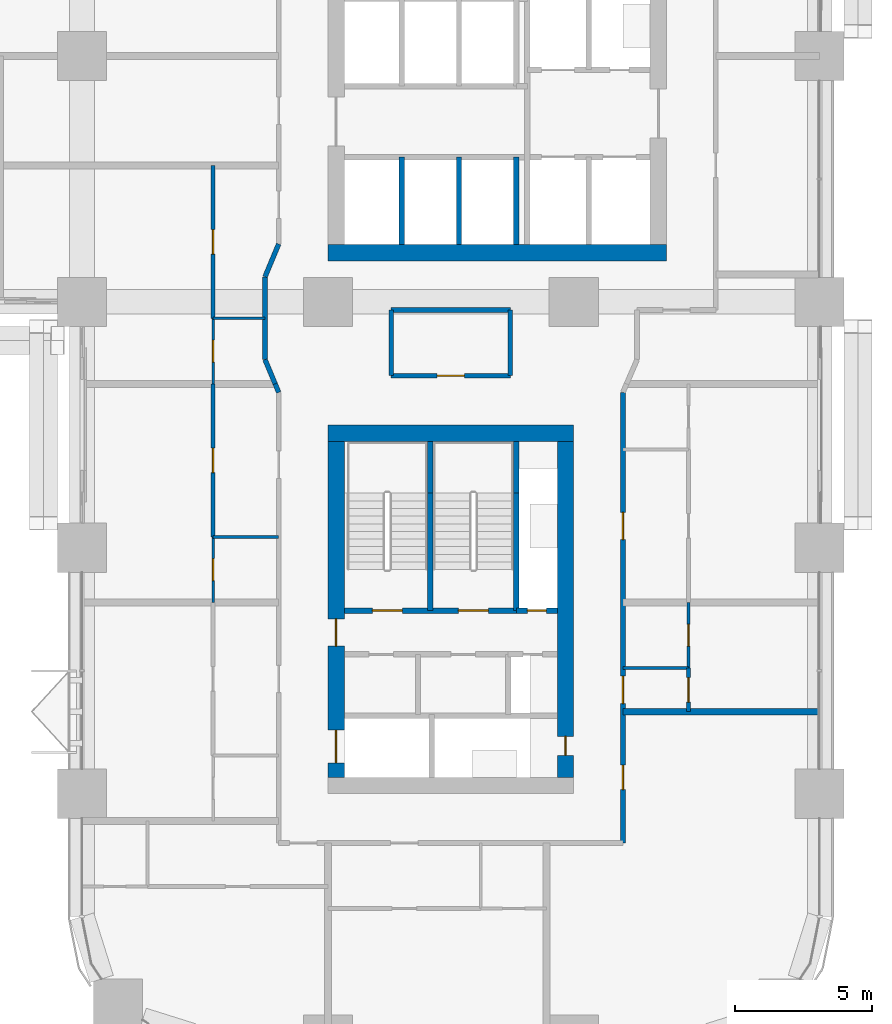
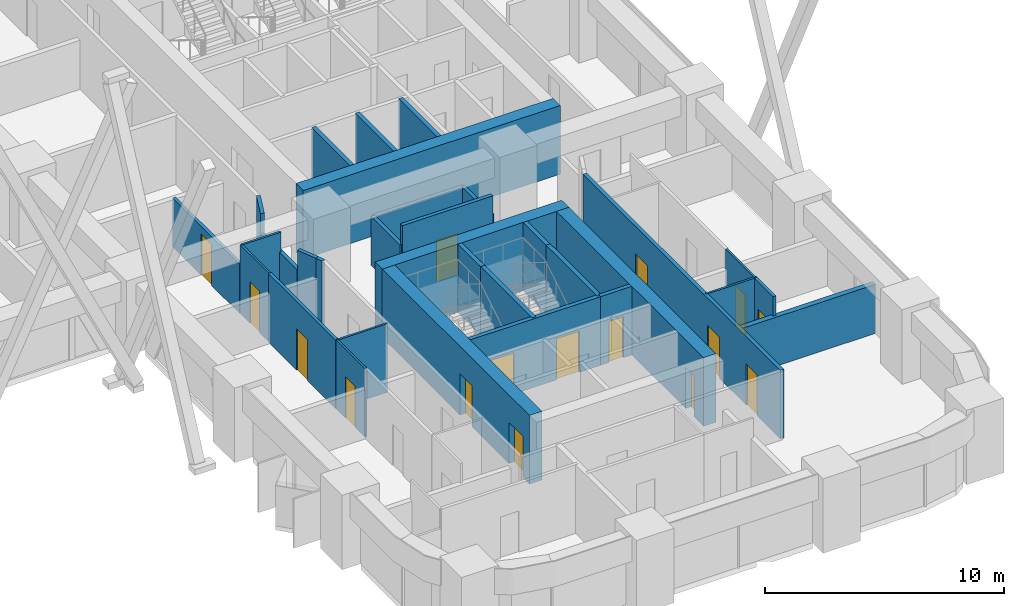
# One storey, part 13 of 19: 32 walls, 16 doors, 16 openings.
"""IFC4 building model written with IfcOpenShell, lengths in metres."""

from ifc_helpers import new_model, si_unit, direction, frame, frame_2d, origin, place, context, subcontext, project, spatial, rectangle, extrude, material, layer, layer_set, type_object, element, fill, save


model = new_model("IFC4")

# Units and contexts
model_context = context("Model", 3, precision=1e-05, world=origin(), true_north=direction((0.0, 1.0)))
body_context = subcontext(model_context, "Body", "Model", "MODEL_VIEW")
ifc_project = project(units=[si_unit("LENGTHUNIT", "METRE"), si_unit("AREAUNIT", "SQUARE_METRE"), si_unit("VOLUMEUNIT", "CUBIC_METRE"), si_unit("PLANEANGLEUNIT", "RADIAN"), si_unit("MASSUNIT", "GRAM", prefix="KILO")], contexts=[model_context])

# Site, building, storey
site_placement = place(None, origin())
site = spatial("IfcSite", under=ifc_project, at=site_placement, CompositionType="ELEMENT")
building_placement = place(site_placement, origin())
building = spatial("IfcBuilding", under=site, at=building_placement, Name="Tessera Arch", CompositionType="ELEMENT")
storey_placement = place(building_placement, frame((0.0, 0.0, 108.199951171875)))
storey = spatial("IfcBuildingStorey", under=building, at=storey_placement, Name="L25", CompositionType="ELEMENT", Elevation=108.199951171875)

# Walls
ifc_material_1 = material(Name="Concrete C70/85", Category="concrete")
ifc_layer_1 = layer(ifc_material_1, 0.60009765625)
ifc_layer_set_1 = layer_set([ifc_layer_1], Name="Core shell wall 600 C70-85")
wall_type_1 = type_object("IfcWallType", Name="Core shell wall 600 C70-85", PredefinedType="SHEAR", material=ifc_layer_set_1)
wall_1_placement = place(storey_placement, frame((36.0, 28.800048828125, 0.0), z_axis=(0.0, 0.0, 1.0), x_axis=(1.0, 0.0, 0.0)))
element("IfcWall", 1, at=wall_1_placement, inside=storey, type_object=wall_type_1, Name="L25 C1 core wall S", PredefinedType="SHEAR", context=body_context, shape_type="SweptSolid", body=[
    extrude(rectangle(XDim=12.39990234375, YDim=0.60009765625, at=frame_2d((6.199951171875, 0.0))), origin(), (0.0, 0.0, 1.0), 3.5),
])
wall_2_placement = place(storey_placement, frame((36.0, 22.199951171875, 0.0), z_axis=(0.0, 0.0, 1.0), x_axis=(1.0, 0.0, 0.0)))
element("IfcWall", 2, at=wall_2_placement, inside=storey, type_object=wall_type_1, Name="L25 C3 core wall N", PredefinedType="SHEAR", context=body_context, shape_type="SweptSolid", body=[
    extrude(rectangle(XDim=9.0, YDim=0.60009765625, at=frame_2d((4.5, 0.0))), origin(), (0.0, 0.0, 1.0), 3.5),
])

# Wall, openings, doors
wall_3_placement = place(storey_placement, frame((36.300048828125, 9.60009765625, 0.0), z_axis=(0.0, 0.0, 1.0), x_axis=(0.0, 1.0, 0.0)))
wall_3 = element("IfcWall", 3, at=wall_3_placement, inside=storey, type_object=wall_type_1, Name="L25 C3 core wall W", PredefinedType="SHEAR", context=body_context, shape_type="SweptSolid", body=[
    extrude(rectangle(XDim=12.2998046875, YDim=0.60009765625, at=frame_2d((6.14990234375, 0.0))), origin(), (0.0, 0.0, 1.0), 3.5),
])
opening_1_placement = place(wall_3_placement, frame((0.52490234375, 0.0, 0.0)))
opening_1 = element("IfcOpeningElement", 4, at=opening_1_placement, cuts=wall_3, Name="Opening L25-C31", PredefinedType="OPENING", context=body_context, shape_type="SweptSolid", body=[
    extrude(rectangle(XDim=1.199951171875, YDim=2.10009765625, at=frame_2d((0.60009765625, 1.050048828125))), frame((0.0, 0.31005859375, 0.0), z_axis=(0.0, -1.0, 0.0), x_axis=(1.0, 0.0, 0.0)), (0.0, 0.0, 1.0), 0.6201171875),
])
opening_2_placement = place(wall_3_placement, frame((4.800048828125, 0.0, 0.0)))
opening_2 = element("IfcOpeningElement", 5, at=opening_2_placement, cuts=wall_3, Name="Opening L25-C37", PredefinedType="OPENING", context=body_context, shape_type="SweptSolid", body=[
    extrude(rectangle(XDim=1.0, YDim=2.10009765625, at=frame_2d((0.5, 1.050048828125))), frame((0.0, 0.31005859375, 0.0), z_axis=(0.0, -1.0, 0.0), x_axis=(1.0, 0.0, 0.0)), (0.0, 0.0, 1.0), 0.6201171875),
])
ifc_material_2 = material(Name="Steel door leaf", Category="steel")
door_type_1 = type_object("IfcDoorType", Name="Corridor door FD60 1000 x 2100", OperationType="SINGLE_SWING_LEFT", PredefinedType="DOOR", material=ifc_material_2)
door_1_placement = place(opening_2_placement, origin())
door_1 = element("IfcDoor", 6, at=door_1_placement, inside=storey, type_object=door_type_1, Name="L25 C3 door 7 C37 type D12", OperationType="SINGLE_SWING_LEFT", OverallHeight=2.10009765625, OverallWidth=1.0, PredefinedType="DOOR", context=body_context, shape_type="SweptSolid", body=[
    extrude(rectangle(XDim=1.0, YDim=2.10009765625, at=frame_2d((0.5, 1.050048828125))), frame((0.0, 0.02490234375, 0.0), z_axis=(0.0, -1.0, 0.0), x_axis=(1.0, 0.0, 0.0)), (0.0, 0.0, 1.0), 0.050048828125),
])
fill(opening_2, door_1)
ifc_material_3 = material(Name="Stainless steel AISI 304", Category="steel")
door_type_2 = type_object("IfcDoorType", Name="Sliding landing door 1200 x 2100", OperationType="SLIDING_TO_LEFT", PredefinedType="DOOR", material=ifc_material_3)
door_2_placement = place(opening_1_placement, origin())
door_2 = element("IfcDoor", 7, at=door_2_placement, inside=storey, type_object=door_type_2, Name="L25 SV1 lift landing door C31 type LD", OperationType="SLIDING_TO_LEFT", OverallHeight=2.10009765625, OverallWidth=1.199951171875, PredefinedType="DOOR", context=body_context, shape_type="SweptSolid", body=[
    extrude(rectangle(XDim=1.199951171875, YDim=2.10009765625, at=frame_2d((0.60009765625, 1.050048828125))), frame((0.0, 0.02490234375, 0.0), z_axis=(0.0, -1.0, 0.0), x_axis=(1.0, 0.0, 0.0)), (0.0, 0.0, 1.0), 0.050048828125),
])
fill(opening_1, door_2)

# Wall, opening, door
wall_4_placement = place(storey_placement, frame((44.699951171875, 9.60009765625, 0.0), z_axis=(0.0, 0.0, 1.0), x_axis=(0.0, 1.0, 0.0)))
wall_4 = element("IfcWall", 8, at=wall_4_placement, inside=storey, type_object=wall_type_1, Name="L25 C3 core wall E", PredefinedType="SHEAR", context=body_context, shape_type="SweptSolid", body=[
    extrude(rectangle(XDim=12.2998046875, YDim=0.60009765625, at=frame_2d((6.14990234375, 0.0))), origin(), (0.0, 0.0, 1.0), 3.5),
])
opening_3_placement = place(wall_4_placement, frame((0.800048828125, 0.0, 0.0)))
opening_3 = element("IfcOpeningElement", 9, at=opening_3_placement, cuts=wall_4, Name="Opening L25-C36", PredefinedType="OPENING", context=body_context, shape_type="SweptSolid", body=[
    extrude(rectangle(XDim=0.699951171875, YDim=2.10009765625, at=frame_2d((0.35009765625, 1.050048828125))), frame((0.0, 0.31005859375, 0.0), z_axis=(0.0, -1.0, 0.0), x_axis=(1.0, 0.0, 0.0)), (0.0, 0.0, 1.0), 0.6201171875),
])
ifc_material_4 = material(Name="Steel door leaf", Category="steel")
door_type_3 = type_object("IfcDoorType", Name="Service shaft door FD60 700 x 2100", OperationType="SINGLE_SWING_LEFT", PredefinedType="DOOR", material=ifc_material_4)
door_3_placement = place(opening_3_placement, origin())
door_3 = element("IfcDoor", 10, at=door_3_placement, inside=storey, type_object=door_type_3, Name="L25 C3 door 6 C36 type D07", OperationType="SINGLE_SWING_LEFT", OverallHeight=2.10009765625, OverallWidth=0.699951171875, PredefinedType="DOOR", context=body_context, shape_type="SweptSolid", body=[
    extrude(rectangle(XDim=0.699951171875, YDim=2.10009765625, at=frame_2d((0.35009765625, 1.050048828125))), frame((0.0, 0.02490234375, 0.0), z_axis=(0.0, -1.0, 0.0), x_axis=(1.0, 0.0, 0.0)), (0.0, 0.0, 1.0), 0.050048828125),
])
fill(opening_3, door_3)

ifc_material_5 = material(Name="Gypsum board on deep steel stud with mineral wool", Category="steel")
ifc_layer_2 = layer(ifc_material_5, 0.175048828125)
ifc_layer_set_2 = layer_set([ifc_layer_2], Name="Corridor wall 175 EI 60")
wall_type_2 = type_object("IfcWallType", Name="Corridor wall 175 EI 60", PredefinedType="PARTITIONING", material=ifc_layer_set_2)
wall_5_placement = place(storey_placement, frame((38.320068359375, 24.300048828125, 0.0), z_axis=(0.0, 0.0, 1.0), x_axis=(1.0, 0.0, 0.0)))
wall_5 = element("IfcWall", 11, at=wall_5_placement, inside=storey, type_object=wall_type_2, Name="L25 partition 2", PredefinedType="PARTITIONING", context=body_context, shape_type="SweptSolid", body=[
    extrude(rectangle(XDim=4.35986328125, YDim=0.175048828125, at=frame_2d((2.179931640625, 0.0))), origin(), (0.0, 0.0, 1.0), 3.5),
])
opening_4_placement = place(wall_5_placement, frame((1.679931640625, 0.0, 0.0)))
opening_4 = element("IfcOpeningElement", 12, at=opening_4_placement, cuts=wall_5, Name="Opening L25-D020", PredefinedType="OPENING", context=body_context, shape_type="SweptSolid", body=[
    extrude(rectangle(XDim=1.0, YDim=2.10009765625, at=frame_2d((0.5, 1.050048828125))), frame((0.0, 0.097412109375, 0.0), z_axis=(0.0, -1.0, 0.0), x_axis=(1.0, 0.0, 0.0)), (0.0, 0.0, 1.0), 0.195068359375),
])
ifc_material_6 = material(Name="Fire-rated door leaf")
door_type_4 = type_object("IfcDoorType", Name="Entrance door FD30S 1000 x 2100", OperationType="SINGLE_SWING_LEFT", PredefinedType="DOOR", material=ifc_material_6)
door_4_placement = place(opening_4_placement, origin())
door_4 = element("IfcDoor", 13, at=door_4_placement, inside=storey, type_object=door_type_4, Name="L25 door D020 type D03", OperationType="SINGLE_SWING_RIGHT", OverallHeight=2.10009765625, OverallWidth=1.0, PredefinedType="DOOR", context=body_context, shape_type="SweptSolid", body=[
    extrude(rectangle(XDim=1.0, YDim=2.10009765625, at=frame_2d((0.5, 1.050048828125))), frame((0.0, 0.02490234375, 0.0), z_axis=(0.0, -1.0, 0.0), x_axis=(1.0, 0.0, 0.0)), (0.0, 0.0, 1.0), 0.050048828125),
])
fill(opening_4, door_4)

# Walls
wall_6_placement = place(storey_placement, frame((38.320068359375, 26.699951171875, 0.0), z_axis=(0.0, 0.0, 1.0), x_axis=(1.0, 0.0, 0.0)))
element("IfcWall", 14, at=wall_6_placement, inside=storey, type_object=wall_type_2, Name="L25 partition 3", PredefinedType="PARTITIONING", context=body_context, shape_type="SweptSolid", body=[
    extrude(rectangle(XDim=4.35986328125, YDim=0.175048828125, at=frame_2d((2.179931640625, 0.0))), origin(), (0.0, 0.0, 1.0), 2.5),
])
wall_7_placement = place(storey_placement, frame((33.699951171875, 24.889892578125, 0.0), z_axis=(0.0, 0.0, 1.0), x_axis=(0.0, 1.0, 0.0)))
element("IfcWall", 15, at=wall_7_placement, inside=storey, type_object=wall_type_2, Name="L25 partition 11", PredefinedType="PARTITIONING", context=body_context, shape_type="SweptSolid", body=[
    extrude(rectangle(XDim=3.030029296875, YDim=0.175048828125, at=frame_2d((1.51513671875, 0.0))), origin(), (0.0, 0.0, 1.0), 2.5),
])
for number, where, z_axis, x_axis, name in (
    (16, (38.320068359375, 24.300048828125, 0.0), (0.0, 0.0, 1.0), (0.0, 1.0, 0.0), "L25 partition 14"),
    (17, (42.679931640625, 24.300048828125, 0.0), (0.0, 0.0, 1.0), (0.0, 1.0, 0.0), "L25 partition 15"),
):
    element("IfcWall", number, at=place(storey_placement, frame(where, z_axis=z_axis, x_axis=x_axis)), inside=storey, type_object=wall_type_2, Name=name, PredefinedType="PARTITIONING", context=body_context, shape_type="SweptSolid", body=[
        extrude(rectangle(XDim=2.39990234375, YDim=0.175048828125, at=frame_2d((1.199951171875, 0.0))), origin(), (0.0, 0.0, 1.0), 2.5),
    ])

# Wall, openings, doors
wall_8_placement = place(storey_placement, frame((46.800048828125, 7.199951171875, 0.0), z_axis=(0.0, 0.0, 1.0), x_axis=(0.0, 1.0, 0.0)))
wall_8 = element("IfcWall", 18, at=wall_8_placement, inside=storey, type_object=wall_type_2, Name="L25 partition 16", PredefinedType="PARTITIONING", context=body_context, shape_type="SweptSolid", body=[
    extrude(rectangle(XDim=16.489990234375, YDim=0.175048828125, at=frame_2d((8.2451171875, 0.0))), origin(), (0.0, 0.0, 1.0), 3.5),
])
opening_5_placement = place(wall_8_placement, frame((1.949951171875, 0.0, 0.0)))
opening_5 = element("IfcOpeningElement", 19, at=opening_5_placement, cuts=wall_8, Name="Opening L25-D007", PredefinedType="OPENING", context=body_context, shape_type="SweptSolid", body=[
    extrude(rectangle(XDim=0.89990234375, YDim=2.10009765625, at=frame_2d((0.449951171875, 1.050048828125))), frame((0.0, 0.097412109375, 0.0), z_axis=(0.0, -1.0, 0.0), x_axis=(1.0, 0.0, 0.0)), (0.0, 0.0, 1.0), 0.195068359375),
])
opening_6_placement = place(wall_8_placement, frame((5.10009765625, 0.0, 0.0)))
opening_6 = element("IfcOpeningElement", 20, at=opening_6_placement, cuts=wall_8, Name="Opening L25-D011", PredefinedType="OPENING", context=body_context, shape_type="SweptSolid", body=[
    extrude(rectangle(XDim=1.0, YDim=2.10009765625, at=frame_2d((0.5, 1.050048828125))), frame((0.0, 0.097412109375, 0.0), z_axis=(0.0, -1.0, 0.0), x_axis=(1.0, 0.0, 0.0)), (0.0, 0.0, 1.0), 0.195068359375),
])
opening_7_placement = place(wall_8_placement, frame((11.10009765625, 0.0, 0.0)))
opening_7 = element("IfcOpeningElement", 21, at=opening_7_placement, cuts=wall_8, Name="Opening L25-D017", PredefinedType="OPENING", context=body_context, shape_type="SweptSolid", body=[
    extrude(rectangle(XDim=1.0, YDim=2.10009765625, at=frame_2d((0.5, 1.050048828125))), frame((0.0, 0.097412109375, 0.0), z_axis=(0.0, -1.0, 0.0), x_axis=(1.0, 0.0, 0.0)), (0.0, 0.0, 1.0), 0.195068359375),
])
door_5_placement = place(opening_6_placement, origin())
door_5 = element("IfcDoor", 22, at=door_5_placement, inside=storey, type_object=door_type_4, Name="L25 door D011 type D03", OperationType="SINGLE_SWING_RIGHT", OverallHeight=2.10009765625, OverallWidth=1.0, PredefinedType="DOOR", context=body_context, shape_type="SweptSolid", body=[
    extrude(rectangle(XDim=1.0, YDim=2.10009765625, at=frame_2d((0.5, 1.050048828125))), frame((0.0, 0.02490234375, 0.0), z_axis=(0.0, -1.0, 0.0), x_axis=(1.0, 0.0, 0.0)), (0.0, 0.0, 1.0), 0.050048828125),
])
fill(opening_6, door_5)
door_6_placement = place(opening_7_placement, origin())
door_6 = element("IfcDoor", 23, at=door_6_placement, inside=storey, type_object=door_type_4, Name="L25 door D017 type D03", OperationType="SINGLE_SWING_RIGHT", OverallHeight=2.10009765625, OverallWidth=1.0, PredefinedType="DOOR", context=body_context, shape_type="SweptSolid", body=[
    extrude(rectangle(XDim=1.0, YDim=2.10009765625, at=frame_2d((0.5, 1.050048828125))), frame((0.0, 0.02490234375, 0.0), z_axis=(0.0, -1.0, 0.0), x_axis=(1.0, 0.0, 0.0)), (0.0, 0.0, 1.0), 0.050048828125),
])
fill(opening_7, door_6)
ifc_material_7 = material(Name="Timber door leaf", Category="wood")
door_type_5 = type_object("IfcDoorType", Name="Room door 900 x 2100", OperationType="SINGLE_SWING_LEFT", PredefinedType="DOOR", material=ifc_material_7)
door_7_placement = place(opening_5_placement, origin())
door_7 = element("IfcDoor", 24, at=door_7_placement, inside=storey, type_object=door_type_5, Name="L25 door D007 type D01", OperationType="SINGLE_SWING_RIGHT", OverallHeight=2.10009765625, OverallWidth=0.89990234375, PredefinedType="DOOR", context=body_context, shape_type="SweptSolid", body=[
    extrude(rectangle(XDim=0.89990234375, YDim=2.10009765625, at=frame_2d((0.449951171875, 1.050048828125))), frame((0.0, 0.02490234375, 0.0), z_axis=(0.0, -1.0, 0.0), x_axis=(1.0, 0.0, 0.0)), (0.0, 0.0, 1.0), 0.050048828125),
])
fill(opening_5, door_7)

# Walls
wall_9_placement = place(storey_placement, frame((34.199951171875, 23.68994140625, 0.0), z_axis=(0.0, 0.0, 1.0), x_axis=(-0.384307602557, 0.92320510539, 0.0)))
element("IfcWall", 25, at=wall_9_placement, inside=storey, type_object=wall_type_2, Name="L25 partition 65", PredefinedType="PARTITIONING", context=body_context, shape_type="SweptSolid", body=[
    extrude(rectangle(XDim=0.337890625, YDim=0.175048828125, at=frame_2d((0.1689453125, 0.0))), origin(), (0.0, 0.0, 1.0), 3.5),
])
wall_10_placement = place(storey_placement, frame((33.699951171875, 27.919921875, 0.0), z_axis=(0.0, 0.0, 1.0), x_axis=(0.384562051588, 0.923099143363, 0.0)))
element("IfcWall", 26, at=wall_10_placement, inside=storey, type_object=wall_type_2, Name="L25 partition 68", PredefinedType="PARTITIONING", context=body_context, shape_type="SweptSolid", body=[
    extrude(rectangle(XDim=1.30029296875, YDim=0.175048828125, at=frame_2d((0.650146484375, 0.0))), origin(), (0.0, 0.0, 1.0), 3.5),
])
wall_11_placement = place(storey_placement, frame((34.071533203125, 23.998291015625, 0.0), z_axis=(0.0, 0.0, 1.0), x_axis=(-0.384687170746, 0.923047008913, 0.0)))
element("IfcWall", 27, at=wall_11_placement, inside=storey, type_object=wall_type_2, Name="L25 partition 69", PredefinedType="PARTITIONING", context=body_context, shape_type="SweptSolid", body=[
    extrude(rectangle(XDim=0.9658203125, YDim=0.175048828125, at=frame_2d((0.48291015625, 0.0))), origin(), (0.0, 0.0, 1.0), 3.5),
])

# Wall, opening, door
ifc_material_8 = material(Name="Gypsum board on steel stud", Category="steel")
ifc_layer_3 = layer(ifc_material_8, 0.14990234375)
ifc_layer_set_3 = layer_set([ifc_layer_3], Name="Partition 150")
wall_type_3 = type_object("IfcWallType", Name="Partition 150", PredefinedType="PARTITIONING", material=ifc_layer_set_3)
wall_12_placement = place(storey_placement, frame((31.800048828125, 18.39990234375, 0.0), z_axis=(0.0, 0.0, 1.0), x_axis=(0.0, 1.0, 0.0)))
wall_12 = element("IfcWall", 28, at=wall_12_placement, inside=storey, type_object=wall_type_3, Name="L25 partition 22", PredefinedType="PARTITIONING", context=body_context, shape_type="SweptSolid", body=[
    extrude(rectangle(XDim=5.60009765625, YDim=0.14990234375, at=frame_2d((2.800048828125, 0.0))), origin(), (0.0, 0.0, 1.0), 3.5),
])
opening_8_placement = place(wall_12_placement, frame((2.35009765625, 0.0, 0.0)))
opening_8 = element("IfcOpeningElement", 29, at=opening_8_placement, cuts=wall_12, Name="Opening L25-D015", PredefinedType="OPENING", context=body_context, shape_type="SweptSolid", body=[
    extrude(rectangle(XDim=0.89990234375, YDim=2.10009765625, at=frame_2d((0.449951171875, 1.050048828125))), frame((0.0, 0.0849609375, 0.0), z_axis=(0.0, -1.0, 0.0), x_axis=(1.0, 0.0, 0.0)), (0.0, 0.0, 1.0), 0.169921875),
])
door_8_placement = place(opening_8_placement, origin())
door_8 = element("IfcDoor", 30, at=door_8_placement, inside=storey, type_object=door_type_5, Name="L25 door D015 type D01", OperationType="SINGLE_SWING_LEFT", OverallHeight=2.10009765625, OverallWidth=0.89990234375, PredefinedType="DOOR", context=body_context, shape_type="SweptSolid", body=[
    extrude(rectangle(XDim=0.89990234375, YDim=2.10009765625, at=frame_2d((0.449951171875, 1.050048828125))), frame((0.0, 0.02490234375, 0.0), z_axis=(0.0, -1.0, 0.0), x_axis=(1.0, 0.0, 0.0)), (0.0, 0.0, 1.0), 0.050048828125),
])
fill(opening_8, door_8)

wall_13_placement = place(storey_placement, frame((31.800048828125, 26.39990234375, 0.0), z_axis=(0.0, 0.0, 1.0), x_axis=(0.0, 1.0, 0.0)))
wall_13 = element("IfcWall", 31, at=wall_13_placement, inside=storey, type_object=wall_type_3, Name="L25 partition 23", PredefinedType="PARTITIONING", context=body_context, shape_type="SweptSolid", body=[
    extrude(rectangle(XDim=5.60009765625, YDim=0.14990234375, at=frame_2d((2.800048828125, 0.0))), origin(), (0.0, 0.0, 1.0), 2.5),
])
opening_9_placement = place(wall_13_placement, frame((2.35009765625, 0.0, 0.0)))
opening_9 = element("IfcOpeningElement", 32, at=opening_9_placement, cuts=wall_13, Name="Opening L25-D024", PredefinedType="OPENING", context=body_context, shape_type="SweptSolid", body=[
    extrude(rectangle(XDim=0.89990234375, YDim=2.10009765625, at=frame_2d((0.449951171875, 1.050048828125))), frame((0.0, 0.0849609375, 0.0), z_axis=(0.0, -1.0, 0.0), x_axis=(1.0, 0.0, 0.0)), (0.0, 0.0, 1.0), 0.169921875),
])
door_9_placement = place(opening_9_placement, origin())
door_9 = element("IfcDoor", 33, at=door_9_placement, inside=storey, type_object=door_type_5, Name="L25 door D024 type D01", OperationType="SINGLE_SWING_RIGHT", OverallHeight=2.10009765625, OverallWidth=0.89990234375, PredefinedType="DOOR", context=body_context, shape_type="SweptSolid", body=[
    extrude(rectangle(XDim=0.89990234375, YDim=2.10009765625, at=frame_2d((0.449951171875, 1.050048828125))), frame((0.0, 0.02490234375, 0.0), z_axis=(0.0, -1.0, 0.0), x_axis=(1.0, 0.0, 0.0)), (0.0, 0.0, 1.0), 0.050048828125),
])
fill(opening_9, door_9)

wall_14_placement = place(storey_placement, frame((49.199951171875, 12.0, 0.0), z_axis=(0.0, 0.0, 1.0), x_axis=(0.0, 1.0, 0.0)))
wall_14 = element("IfcWall", 34, at=wall_14_placement, inside=storey, type_object=wall_type_3, Name="L25 partition 24", PredefinedType="PARTITIONING", context=body_context, shape_type="SweptSolid", body=[
    extrude(rectangle(XDim=1.60009765625, YDim=0.14990234375, at=frame_2d((0.800048828125, 0.0))), origin(), (0.0, 0.0, 1.0), 3.5),
])
opening_10_placement = place(wall_14_placement, frame((0.35009765625, 0.0, 0.0)))
opening_10 = element("IfcOpeningElement", 35, at=opening_10_placement, cuts=wall_14, Name="Opening L25-D012", PredefinedType="OPENING", context=body_context, shape_type="SweptSolid", body=[
    extrude(rectangle(XDim=0.89990234375, YDim=2.10009765625, at=frame_2d((0.449951171875, 1.050048828125))), frame((0.0, 0.0849609375, 0.0), z_axis=(0.0, -1.0, 0.0), x_axis=(1.0, 0.0, 0.0)), (0.0, 0.0, 1.0), 0.169921875),
])
door_10_placement = place(opening_10_placement, origin())
door_10 = element("IfcDoor", 36, at=door_10_placement, inside=storey, type_object=door_type_5, Name="L25 door D012 type D01", OperationType="SINGLE_SWING_LEFT", OverallHeight=2.10009765625, OverallWidth=0.89990234375, PredefinedType="DOOR", context=body_context, shape_type="SweptSolid", body=[
    extrude(rectangle(XDim=0.89990234375, YDim=2.10009765625, at=frame_2d((0.449951171875, 1.050048828125))), frame((0.0, 0.02490234375, 0.0), z_axis=(0.0, -1.0, 0.0), x_axis=(1.0, 0.0, 0.0)), (0.0, 0.0, 1.0), 0.050048828125),
])
fill(opening_10, door_10)

# Walls
ifc_material_9 = material(Name="Double gypsum board on twin steel stud with acoustic mineral wool", Category="steel")
ifc_layer_4 = layer(ifc_material_9, 0.25)
ifc_layer_set_4 = layer_set([ifc_layer_4], Name="Party wall 250 EI 60")
wall_type_4 = type_object("IfcWallType", Name="Party wall 250 EI 60", PredefinedType="PARTITIONING", material=ifc_layer_set_4)
wall_15_placement = place(storey_placement, frame((46.800048828125, 12.0, 0.0), z_axis=(0.0, 0.0, 1.0), x_axis=(1.0, 0.0, 0.0)))
element("IfcWall", 37, at=wall_15_placement, inside=storey, type_object=wall_type_4, Name="L25 partition 27", PredefinedType="PARTITIONING", context=body_context, shape_type="SweptSolid", body=[
    extrude(rectangle(XDim=7.199951171875, YDim=0.25, at=frame_2d((3.60009765625, 0.0))), origin(), (0.0, 0.0, 1.0), 2.5),
])
ifc_material_10 = material(Name="Concrete C40/50", Category="concrete")
ifc_layer_5 = layer(ifc_material_10, 0.199951171875)
ifc_layer_set_5 = layer_set([ifc_layer_5], Name="Shaft wall 200 EI 120")
wall_type_5 = type_object("IfcWallType", Name="Shaft wall 200 EI 120", PredefinedType="SOLIDWALL", material=ifc_layer_set_5)
for number, where, z_axis, x_axis, name in (
    (38, (38.699951171875, 29.10009765625, 0.0), (0.0, 0.0, 1.0), (0.0, 1.0, 0.0), "L25 C1 shaft wall 1"),
    (39, (40.800048828125, 29.10009765625, 0.0), (0.0, 0.0, 1.0), (0.0, 1.0, 0.0), "L25 C1 shaft wall 6"),
    (40, (42.89990234375, 29.10009765625, 0.0), (0.0, 0.0, 1.0), (0.0, 1.0, 0.0), "L25 C1 shaft wall 8"),
):
    element("IfcWall", number, at=place(storey_placement, frame(where, z_axis=z_axis, x_axis=x_axis)), inside=storey, type_object=wall_type_5, Name=name, PredefinedType="SOLIDWALL", context=body_context, shape_type="SweptSolid", body=[
        extrude(rectangle(XDim=3.199951171875, YDim=0.199951171875, at=frame_2d((1.60009765625, 0.0))), origin(), (0.0, 0.0, 1.0), 3.5),
    ])

# Wall, opening, door
wall_16_placement = place(storey_placement, frame((42.89990234375, 15.699951171875, 0.0), z_axis=(0.0, 0.0, 1.0), x_axis=(1.0, 0.0, 0.0)))
wall_16 = element("IfcWall", 41, at=wall_16_placement, inside=storey, type_object=wall_type_5, Name="L25 C3 shaft wall 11", PredefinedType="SOLIDWALL", context=body_context, shape_type="SweptSolid", body=[
    extrude(rectangle(XDim=1.5, YDim=0.199951171875, at=frame_2d((0.75, 0.0))), origin(), (0.0, 0.0, 1.0), 3.5),
])
opening_11_placement = place(wall_16_placement, frame((0.39990234375, 0.0, 0.0)))
opening_11 = element("IfcOpeningElement", 42, at=opening_11_placement, cuts=wall_16, Name="Opening L25-C34", PredefinedType="OPENING", context=body_context, shape_type="SweptSolid", body=[
    extrude(rectangle(XDim=0.699951171875, YDim=2.10009765625, at=frame_2d((0.35009765625, 1.050048828125))), frame((0.0, 0.10986328125, 0.0), z_axis=(0.0, -1.0, 0.0), x_axis=(1.0, 0.0, 0.0)), (0.0, 0.0, 1.0), 0.219970703125),
])
door_11_placement = place(opening_11_placement, origin())
door_11 = element("IfcDoor", 43, at=door_11_placement, inside=storey, type_object=door_type_3, Name="L25 C3 door 4 C34 type D07", OperationType="SINGLE_SWING_LEFT", OverallHeight=2.10009765625, OverallWidth=0.699951171875, PredefinedType="DOOR", context=body_context, shape_type="SweptSolid", body=[
    extrude(rectangle(XDim=0.699951171875, YDim=2.10009765625, at=frame_2d((0.35009765625, 1.050048828125))), frame((0.0, 0.02490234375, 0.0), z_axis=(0.0, -1.0, 0.0), x_axis=(1.0, 0.0, 0.0)), (0.0, 0.0, 1.0), 0.050048828125),
])
fill(opening_11, door_11)

# Walls
ifc_material_11 = material(Name="Concrete C40/50", Category="concrete")
ifc_layer_6 = layer(ifc_material_11, 0.199951171875)
ifc_layer_set_6 = layer_set([ifc_layer_6], Name="Stair well wall 200 REI 180")
wall_type_6 = type_object("IfcWallType", Name="Stair well wall 200 REI 180", PredefinedType="SOLIDWALL", material=ifc_layer_set_6)
wall_17_placement = place(storey_placement, frame((39.75, 15.699951171875, 0.0), z_axis=(0.0, 0.0, 1.0), x_axis=(0.0, 1.0, 0.0)))
element("IfcWall", 44, at=wall_17_placement, inside=storey, type_object=wall_type_6, Name="L25 C3 shaft wall 2", PredefinedType="SOLIDWALL", context=body_context, shape_type="SweptSolid", body=[
    extrude(rectangle(XDim=4.300048828125, YDim=0.199951171875, at=frame_2d((2.14990234375, 0.0))), origin(), (0.0, 0.0, 1.0), 3.5),
])
wall_18_placement = place(storey_placement, frame((39.75, 20.0, 0.0), z_axis=(0.0, 0.0, 1.0), x_axis=(0.0, 1.0, 0.0)))
element("IfcWall", 45, at=wall_18_placement, inside=storey, type_object=wall_type_6, Name="L25 C3 shaft wall 3", PredefinedType="SOLIDWALL", context=body_context, shape_type="SweptSolid", body=[
    extrude(rectangle(XDim=1.89990234375, YDim=0.199951171875, at=frame_2d((0.949951171875, 0.0))), origin(), (0.0, 0.0, 1.0), 3.5),
])
wall_19_placement = place(storey_placement, frame((42.89990234375, 15.699951171875, 0.0), z_axis=(0.0, 0.0, 1.0), x_axis=(0.0, 1.0, 0.0)))
element("IfcWall", 46, at=wall_19_placement, inside=storey, type_object=wall_type_6, Name="L25 C3 shaft wall 6", PredefinedType="SOLIDWALL", context=body_context, shape_type="SweptSolid", body=[
    extrude(rectangle(XDim=4.300048828125, YDim=0.199951171875, at=frame_2d((2.14990234375, 0.0))), origin(), (0.0, 0.0, 1.0), 3.5),
])
wall_20_placement = place(storey_placement, frame((42.89990234375, 20.0, 0.0), z_axis=(0.0, 0.0, 1.0), x_axis=(0.0, 1.0, 0.0)))
element("IfcWall", 47, at=wall_20_placement, inside=storey, type_object=wall_type_6, Name="L25 C3 shaft wall 7", PredefinedType="SOLIDWALL", context=body_context, shape_type="SweptSolid", body=[
    extrude(rectangle(XDim=1.89990234375, YDim=0.199951171875, at=frame_2d((0.949951171875, 0.0))), origin(), (0.0, 0.0, 1.0), 3.5),
])

# Wall, openings, doors
wall_21_placement = place(storey_placement, frame((36.60009765625, 15.699951171875, 0.0), z_axis=(0.0, 0.0, 1.0), x_axis=(1.0, 0.0, 0.0)))
wall_21 = element("IfcWall", 48, at=wall_21_placement, inside=storey, type_object=wall_type_6, Name="L25 C3 shaft wall 12", PredefinedType="SOLIDWALL", context=body_context, shape_type="SweptSolid", body=[
    extrude(rectangle(XDim=6.2998046875, YDim=0.199951171875, at=frame_2d((3.14990234375, 0.0))), origin(), (0.0, 0.0, 1.0), 3.5),
])
opening_12_placement = place(wall_21_placement, frame((1.02490234375, 0.0, 0.0)))
opening_12 = element("IfcOpeningElement", 49, at=opening_12_placement, cuts=wall_21, Name="Opening L25-C32", PredefinedType="OPENING", context=body_context, shape_type="SweptSolid", body=[
    extrude(rectangle(XDim=1.10009765625, YDim=2.10009765625, at=frame_2d((0.550048828125, 1.050048828125))), frame((0.0, 0.10986328125, 0.0), z_axis=(0.0, -1.0, 0.0), x_axis=(1.0, 0.0, 0.0)), (0.0, 0.0, 1.0), 0.219970703125),
])
opening_13_placement = place(wall_21_placement, frame((4.175048828125, 0.0, 0.0)))
opening_13 = element("IfcOpeningElement", 50, at=opening_13_placement, cuts=wall_21, Name="Opening L25-C33", PredefinedType="OPENING", context=body_context, shape_type="SweptSolid", body=[
    extrude(rectangle(XDim=1.10009765625, YDim=2.10009765625, at=frame_2d((0.550048828125, 1.050048828125))), frame((0.0, 0.10986328125, 0.0), z_axis=(0.0, -1.0, 0.0), x_axis=(1.0, 0.0, 0.0)), (0.0, 0.0, 1.0), 0.219970703125),
])
ifc_material_12 = material(Name="Steel door leaf", Category="steel")
door_type_6 = type_object("IfcDoorType", Name="Stair door FD60 1100 x 2100", OperationType="SINGLE_SWING_LEFT", PredefinedType="DOOR", material=ifc_material_12)
door_12_placement = place(opening_12_placement, origin())
door_12 = element("IfcDoor", 51, at=door_12_placement, inside=storey, type_object=door_type_6, Name="L25 C3 door 2 C32 type D05", OperationType="SINGLE_SWING_LEFT", OverallHeight=2.10009765625, OverallWidth=1.10009765625, PredefinedType="DOOR", context=body_context, shape_type="SweptSolid", body=[
    extrude(rectangle(XDim=1.10009765625, YDim=2.10009765625, at=frame_2d((0.550048828125, 1.050048828125))), frame((0.0, 0.02490234375, 0.0), z_axis=(0.0, -1.0, 0.0), x_axis=(1.0, 0.0, 0.0)), (0.0, 0.0, 1.0), 0.050048828125),
])
fill(opening_12, door_12)
door_13_placement = place(opening_13_placement, origin())
door_13 = element("IfcDoor", 52, at=door_13_placement, inside=storey, type_object=door_type_6, Name="L25 C3 door 3 C33 type D05", OperationType="SINGLE_SWING_RIGHT", OverallHeight=2.10009765625, OverallWidth=1.10009765625, PredefinedType="DOOR", context=body_context, shape_type="SweptSolid", body=[
    extrude(rectangle(XDim=1.10009765625, YDim=2.10009765625, at=frame_2d((0.550048828125, 1.050048828125))), frame((0.0, 0.02490234375, 0.0), z_axis=(0.0, -1.0, 0.0), x_axis=(1.0, 0.0, 0.0)), (0.0, 0.0, 1.0), 0.050048828125),
])
fill(opening_13, door_13)

# Walls
ifc_material_13 = material(Name="Moisture-resistant board on pre-plumbed steel stud", Category="steel")
ifc_layer_7 = layer(ifc_material_13, 0.10009765625)
ifc_layer_set_7 = layer_set([ifc_layer_7], Name="Wet wall 100")
wall_type_7 = type_object("IfcWallType", Name="Wet wall 100", PredefinedType="PARTITIONING", material=ifc_layer_set_7)
for number, where, z_axis, x_axis, name in (
    (53, (46.800048828125, 13.60009765625, 0.0), (0.0, 0.0, 1.0), (1.0, 0.0, 0.0), "L25 partition 54"),
    (54, (31.800048828125, 18.39990234375, 0.0), (0.0, 0.0, 1.0), (1.0, 0.0, 0.0), "L25 partition 55"),
):
    element("IfcWall", number, at=place(storey_placement, frame(where, z_axis=z_axis, x_axis=x_axis)), inside=storey, type_object=wall_type_7, Name=name, PredefinedType="PARTITIONING", context=body_context, shape_type="SweptSolid", body=[
        extrude(rectangle(XDim=2.39990234375, YDim=0.10009765625, at=frame_2d((1.199951171875, 0.0))), origin(), (0.0, 0.0, 1.0), 3.5),
    ])
wall_22_placement = place(storey_placement, frame((31.800048828125, 26.39990234375, 0.0), z_axis=(0.0, 0.0, 1.0), x_axis=(1.0, 0.0, 0.0)))
element("IfcWall", 55, at=wall_22_placement, inside=storey, type_object=wall_type_7, Name="L25 partition 57", PredefinedType="PARTITIONING", context=body_context, shape_type="SweptSolid", body=[
    extrude(rectangle(XDim=1.89990234375, YDim=0.10009765625, at=frame_2d((0.949951171875, 0.0))), origin(), (0.0, 0.0, 1.0), 3.5),
])

# Wall, opening, door
wall_23_placement = place(storey_placement, frame((31.800048828125, 16.0, 0.0), z_axis=(0.0, 0.0, 1.0), x_axis=(0.0, 1.0, 0.0)))
wall_23 = element("IfcWall", 56, at=wall_23_placement, inside=storey, type_object=wall_type_7, Name="L25 partition 60", PredefinedType="PARTITIONING", context=body_context, shape_type="SweptSolid", body=[
    extrude(rectangle(XDim=2.39990234375, YDim=0.10009765625, at=frame_2d((1.199951171875, 0.0))), origin(), (0.0, 0.0, 1.0), 3.5),
])
opening_14_placement = place(wall_23_placement, frame((0.800048828125, 0.0, 0.0)))
opening_14 = element("IfcOpeningElement", 57, at=opening_14_placement, cuts=wall_23, Name="Opening L25-D016", PredefinedType="OPENING", context=body_context, shape_type="SweptSolid", body=[
    extrude(rectangle(XDim=0.800048828125, YDim=2.10009765625, at=frame_2d((0.39990234375, 1.050048828125))), frame((0.0, 0.06005859375, 0.0), z_axis=(0.0, -1.0, 0.0), x_axis=(1.0, 0.0, 0.0)), (0.0, 0.0, 1.0), 0.1201171875),
])
ifc_material_14 = material(Name="Timber door leaf", Category="wood")
door_type_7 = type_object("IfcDoorType", Name="En-suite door 800 x 2100", OperationType="SINGLE_SWING_LEFT", PredefinedType="DOOR", material=ifc_material_14)
door_14_placement = place(opening_14_placement, origin())
door_14 = element("IfcDoor", 58, at=door_14_placement, inside=storey, type_object=door_type_7, Name="L25 door D016 type D02", OperationType="SINGLE_SWING_RIGHT", OverallHeight=2.10009765625, OverallWidth=0.800048828125, PredefinedType="DOOR", context=body_context, shape_type="SweptSolid", body=[
    extrude(rectangle(XDim=0.800048828125, YDim=2.10009765625, at=frame_2d((0.39990234375, 1.050048828125))), frame((0.0, 0.02490234375, 0.0), z_axis=(0.0, -1.0, 0.0), x_axis=(1.0, 0.0, 0.0)), (0.0, 0.0, 1.0), 0.050048828125),
])
fill(opening_14, door_14)

wall_24_placement = place(storey_placement, frame((31.800048828125, 24.0, 0.0), z_axis=(0.0, 0.0, 1.0), x_axis=(0.0, 1.0, 0.0)))
wall_24 = element("IfcWall", 59, at=wall_24_placement, inside=storey, type_object=wall_type_7, Name="L25 partition 61", PredefinedType="PARTITIONING", context=body_context, shape_type="SweptSolid", body=[
    extrude(rectangle(XDim=2.39990234375, YDim=0.10009765625, at=frame_2d((1.199951171875, 0.0))), origin(), (0.0, 0.0, 1.0), 3.5),
])
opening_15_placement = place(wall_24_placement, frame((0.800048828125, 0.0, 0.0)))
opening_15 = element("IfcOpeningElement", 60, at=opening_15_placement, cuts=wall_24, Name="Opening L25-D025", PredefinedType="OPENING", context=body_context, shape_type="SweptSolid", body=[
    extrude(rectangle(XDim=0.800048828125, YDim=2.10009765625, at=frame_2d((0.39990234375, 1.050048828125))), frame((0.0, 0.06005859375, 0.0), z_axis=(0.0, -1.0, 0.0), x_axis=(1.0, 0.0, 0.0)), (0.0, 0.0, 1.0), 0.1201171875),
])
door_15_placement = place(opening_15_placement, origin())
door_15 = element("IfcDoor", 61, at=door_15_placement, inside=storey, type_object=door_type_7, Name="L25 door D025 type D02", OperationType="SINGLE_SWING_LEFT", OverallHeight=2.10009765625, OverallWidth=0.800048828125, PredefinedType="DOOR", context=body_context, shape_type="SweptSolid", body=[
    extrude(rectangle(XDim=0.800048828125, YDim=2.10009765625, at=frame_2d((0.39990234375, 1.050048828125))), frame((0.0, 0.02490234375, 0.0), z_axis=(0.0, -1.0, 0.0), x_axis=(1.0, 0.0, 0.0)), (0.0, 0.0, 1.0), 0.050048828125),
])
fill(opening_15, door_15)

wall_25_placement = place(storey_placement, frame((49.199951171875, 13.60009765625, 0.0), z_axis=(0.0, 0.0, 1.0), x_axis=(0.0, 1.0, 0.0)))
wall_25 = element("IfcWall", 62, at=wall_25_placement, inside=storey, type_object=wall_type_7, Name="L25 partition 63", PredefinedType="PARTITIONING", context=body_context, shape_type="SweptSolid", body=[
    extrude(rectangle(XDim=2.39990234375, YDim=0.10009765625, at=frame_2d((1.199951171875, 0.0))), origin(), (0.0, 0.0, 1.0), 3.5),
])
opening_16_placement = place(wall_25_placement, frame((0.800048828125, 0.0, 0.0)))
opening_16 = element("IfcOpeningElement", 63, at=opening_16_placement, cuts=wall_25, Name="Opening L25-D013", PredefinedType="OPENING", context=body_context, shape_type="SweptSolid", body=[
    extrude(rectangle(XDim=0.800048828125, YDim=2.10009765625, at=frame_2d((0.39990234375, 1.050048828125))), frame((0.0, 0.06005859375, 0.0), z_axis=(0.0, -1.0, 0.0), x_axis=(1.0, 0.0, 0.0)), (0.0, 0.0, 1.0), 0.1201171875),
])
door_16_placement = place(opening_16_placement, origin())
door_16 = element("IfcDoor", 64, at=door_16_placement, inside=storey, type_object=door_type_7, Name="L25 door D013 type D02", OperationType="SINGLE_SWING_RIGHT", OverallHeight=2.10009765625, OverallWidth=0.800048828125, PredefinedType="DOOR", context=body_context, shape_type="SweptSolid", body=[
    extrude(rectangle(XDim=0.800048828125, YDim=2.10009765625, at=frame_2d((0.39990234375, 1.050048828125))), frame((0.0, 0.02490234375, 0.0), z_axis=(0.0, -1.0, 0.0), x_axis=(1.0, 0.0, 0.0)), (0.0, 0.0, 1.0), 0.050048828125),
])
fill(opening_16, door_16)

save(model, "model.ifc")
